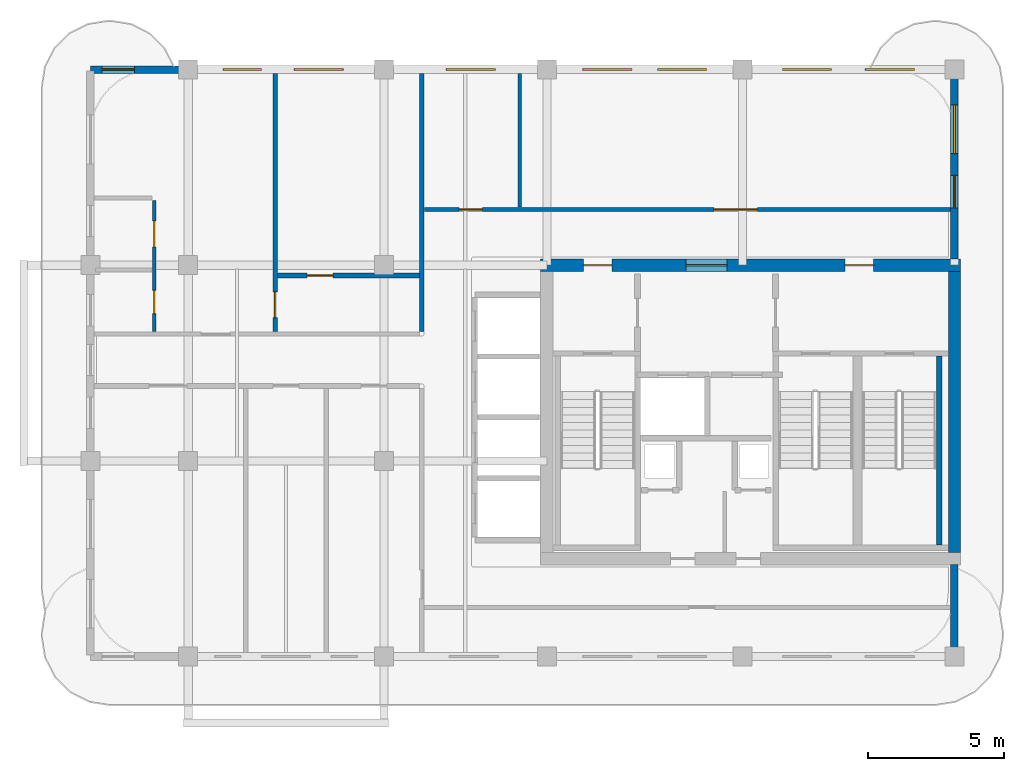
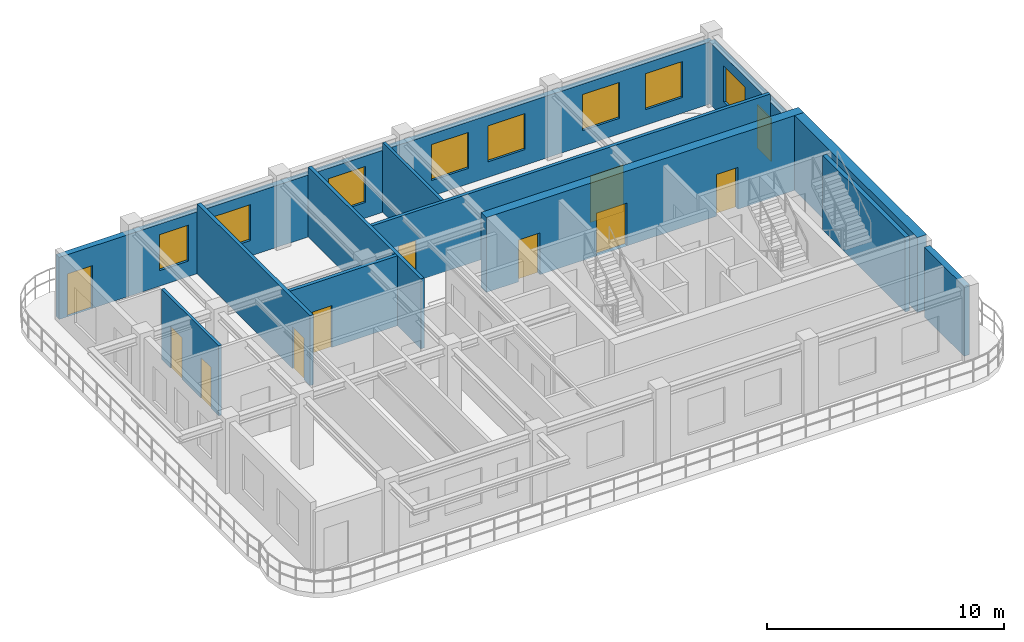
# One storey, part 4 of 7: 12 walls, 11 doors, 8 windows, 19 openings.
"""IFC4 building model written with IfcOpenShell, lengths in metres."""

from ifc_helpers import new_model, si_unit, derived_unit, direction, frame, frame_2d, origin, place, context, subcontext, project, spatial, rectangle, extrude, source, transform, mapped, material, layer, layer_set, type_object, type_shapes, element, fill, save


model = new_model("IFC4")

# Units and contexts
model_context = context("Model", 3, precision=1e-05, world=origin(), true_north=direction((0.0, 1.0)))
body_context = subcontext(model_context, "Body", "Model", "MODEL_VIEW")
ifc_project = project(units=[si_unit("LENGTHUNIT", "METRE"), si_unit("AREAUNIT", "SQUARE_METRE"), si_unit("VOLUMEUNIT", "CUBIC_METRE"), si_unit("PLANEANGLEUNIT", "RADIAN"), si_unit("MASSUNIT", "GRAM", prefix="KILO"), si_unit("THERMODYNAMICTEMPERATUREUNIT", "KELVIN"), si_unit("POWERUNIT", "WATT"), derived_unit("THERMALTRANSMITTANCEUNIT", [(si_unit("POWERUNIT", "WATT"), 1), (si_unit("AREAUNIT", "SQUARE_METRE"), -1), (si_unit("THERMODYNAMICTEMPERATUREUNIT", "KELVIN"), -1)])], contexts=[model_context])

# Site, building, storey
site_placement = place(None, origin())
site = spatial("IfcSite", under=ifc_project, at=site_placement, CompositionType="ELEMENT")
building_placement = place(site_placement, origin())
building = spatial("IfcBuilding", under=site, at=building_placement, Name="Zahravan Archway Hotel and Residences", CompositionType="ELEMENT")
storey_placement = place(building_placement, frame((0.0, 0.0, 275.050048828125)))
storey = spatial("IfcBuildingStorey", under=building, at=storey_placement, Name="L69", CompositionType="ELEMENT", Elevation=275.050048828125)

# Wall, openings, doors
ifc_material_1 = material(Name="Concrete C50/60", Category="concrete")
ifc_layer_1 = layer(ifc_material_1, 0.449951171875, Name="Concrete C50/60", Category="concrete")
ifc_layer_set_1 = layer_set([ifc_layer_1], Name="Concrete C50/60")
wall_type_1 = type_object("IfcWallType", Name="CW-CORE-450", PredefinedType="SHEAR", material=ifc_layer_set_1)
wall_1_placement = place(storey_placement, frame((34.574951171875, 14.39990234375, 0.0), z_axis=(0.0, 0.0, 1.0), x_axis=(1.0, 0.0, 0.0)))
wall_1 = element("IfcWall", 1, at=wall_1_placement, inside=storey, type_object=wall_type_1, Name="L69 Core A Shear N Wall 450 mm", PredefinedType="SHEAR", context=body_context, shape_type="SweptSolid", body=[
    extrude(rectangle(XDim=15.449951171875, YDim=0.449951171875, at=frame_2d((7.72509765625, 0.0))), origin(), (0.0, 0.0, 1.0), 3.849853515625),
])
opening_1_placement = place(wall_1_placement, frame((5.35498046875, 0.0, 0.0)))
opening_1 = element("IfcOpeningElement", 2, at=opening_1_placement, cuts=wall_1, Name="Opening FD-L1", PredefinedType="OPENING", context=body_context, shape_type="SweptSolid", body=[
    extrude(rectangle(XDim=1.5, YDim=2.199951171875, at=frame_2d((0.75, 1.10009765625))), frame((0.0, 0.23486328125, 0.0), z_axis=(0.0, -1.0, 0.0), x_axis=(1.0, 0.0, 0.0)), (0.0, 0.0, 1.0), 0.469970703125),
])
opening_2_placement = place(wall_1_placement, frame((1.570068359375, 0.0, 0.0)))
opening_2 = element("IfcOpeningElement", 3, at=opening_2_placement, cuts=wall_1, Name="Opening FD-L2", PredefinedType="OPENING", context=body_context, shape_type="SweptSolid", body=[
    extrude(rectangle(XDim=1.050048828125, YDim=2.14990234375, at=frame_2d((0.52490234375, 1.074951171875))), frame((0.0, 0.23486328125, 0.0), z_axis=(0.0, -1.0, 0.0), x_axis=(1.0, 0.0, 0.0)), (0.0, 0.0, 1.0), 0.469970703125),
])
opening_3_placement = place(wall_1_placement, frame((11.199951171875, 0.0, 0.0)))
opening_3 = element("IfcOpeningElement", 4, at=opening_3_placement, cuts=wall_1, Name="Opening FD-L2", PredefinedType="OPENING", context=body_context, shape_type="SweptSolid", body=[
    extrude(rectangle(XDim=1.050048828125, YDim=2.14990234375, at=frame_2d((0.52490234375, 1.074951171875))), frame((0.0, 0.23486328125, 0.0), z_axis=(0.0, -1.0, 0.0), x_axis=(1.0, 0.0, 0.0)), (0.0, 0.0, 1.0), 0.469970703125),
])
ifc_material_2 = material(Name="Fire-Rated Painted Steel", Category="steel")
door_type_1 = type_object("IfcDoorType", Name="FD-LOBBY-1100", OperationType="NOTDEFINED", PredefinedType="DOOR", material=ifc_material_2)
shared_shape_1 = source(origin(), body_context, "Body", "SweptSolid", [
    extrude(rectangle(XDim=1.050048828125, YDim=2.14990234375, at=frame_2d((0.52490234375, 1.074951171875))), frame((0.0, 0.02490234375, 0.0), z_axis=(0.0, -1.0, 0.0), x_axis=(1.0, 0.0, 0.0)), (0.0, 0.0, 1.0), 0.050048828125),
])
type_shapes(door_type_1, [shared_shape_1])
door_1_placement = place(opening_2_placement, origin())
door_1 = element("IfcDoor", 5, at=door_1_placement, inside=storey, type_object=door_type_1, Name="L69 Core A West Stair Lobby Door", OperationType="SINGLE_SWING_LEFT", OverallHeight=2.14990234375, OverallWidth=1.050048828125, PredefinedType="DOOR", context=body_context, shape_type="MappedRepresentation", body=[
    mapped(shared_shape_1, transform((0.0, 0.0, 0.0), scale=1.0)),
])
fill(opening_2, door_1)
door_2_placement = place(opening_3_placement, origin())
door_2 = element("IfcDoor", 6, at=door_2_placement, inside=storey, type_object=door_type_1, Name="L69 Core A East Stair Lobby Door", OperationType="SINGLE_SWING_RIGHT", OverallHeight=2.14990234375, OverallWidth=1.050048828125, PredefinedType="DOOR", context=body_context, shape_type="MappedRepresentation", body=[
    mapped(shared_shape_1, transform((0.0, 0.0, 0.0), scale=1.0)),
])
fill(opening_3, door_2)
door_type_2 = type_object("IfcDoorType", Name="FD-LOBBY-1500", OperationType="DOUBLE_DOOR_SINGLE_SWING", PredefinedType="DOOR", material=ifc_material_2)
shared_shape_2 = source(origin(), body_context, "Body", "SweptSolid", [
    extrude(rectangle(XDim=1.5, YDim=2.199951171875, at=frame_2d((0.75, 1.10009765625))), frame((0.0, 0.02490234375, 0.0), z_axis=(0.0, -1.0, 0.0), x_axis=(1.0, 0.0, 0.0)), (0.0, 0.0, 1.0), 0.050048828125),
])
type_shapes(door_type_2, [shared_shape_2])
door_3_placement = place(opening_1_placement, origin())
door_3 = element("IfcDoor", 7, at=door_3_placement, inside=storey, type_object=door_type_2, Name="L69 Core A FSAE Lobby Main Door", OperationType="DOUBLE_DOOR_SINGLE_SWING", OverallHeight=2.199951171875, OverallWidth=1.5, PredefinedType="DOOR", context=body_context, shape_type="MappedRepresentation", body=[
    mapped(shared_shape_2, transform((0.0, 0.0, 0.0), scale=1.0)),
])
fill(opening_1, door_3)

# Walls
wall_2_placement = place(storey_placement, frame((49.800048828125, 3.824951171875, 0.0), z_axis=(0.0, 0.0, 1.0), x_axis=(0.0, 1.0, 0.0)))
element("IfcWall", 8, at=wall_2_placement, inside=storey, type_object=wall_type_1, Name="L69 Core A Shear E Wall 450 mm", PredefinedType="SHEAR", context=body_context, shape_type="SweptSolid", body=[
    extrude(rectangle(XDim=10.35009765625, YDim=0.449951171875, at=frame_2d((5.175048828125, 0.0))), origin(), (0.0, 0.0, 1.0), 3.849853515625),
])
ifc_material_3 = material(Name="Honed Red-Ochre Sandstone & Insulated Block", Category="masonry")
ifc_layer_2 = layer(ifc_material_3, 0.280029296875, Name="Honed Red-Ochre Sandstone & Insulated Block", Category="masonry")
ifc_layer_set_2 = layer_set([ifc_layer_2], Name="Honed Red-Ochre Sandstone & Insulated Block")
wall_type_2 = type_object("IfcWallType", Name="EW-LOG-280", PredefinedType="SOLIDWALL", material=ifc_layer_set_2)
wall_3_placement = place(storey_placement, frame((49.800048828125, 0.050048828125, 0.0), z_axis=(0.0, 0.0, 1.0), x_axis=(0.0, 1.0, 0.0)))
element("IfcWall", 9, at=wall_3_placement, inside=storey, type_object=wall_type_2, Name="L69 Exterior Sandstone Wall WA-ES", PredefinedType="SOLIDWALL", context=body_context, shape_type="SweptSolid", body=[
    extrude(rectangle(XDim=3.329833984375, YDim=0.280029296875, at=frame_2d((1.6650390625, 0.0))), origin(), (0.0, 0.0, 1.0), 3.599853515625),
])

# Wall, openings, door, window
wall_4_placement = place(storey_placement, frame((49.800048828125, 14.6201171875, 0.0), z_axis=(0.0, 0.0, 1.0), x_axis=(0.0, 1.0, 0.0)))
wall_4 = element("IfcWall", 10, at=wall_4_placement, inside=storey, type_object=wall_type_2, Name="L69 Exterior Sandstone Wall WA-EN", PredefinedType="SOLIDWALL", context=body_context, shape_type="SweptSolid", body=[
    extrude(rectangle(XDim=6.929931640625, YDim=0.280029296875, at=frame_2d((3.46484375, 0.0))), origin(), (0.0, 0.0, 1.0), 3.18505859375),
])
opening_4_placement = place(wall_4_placement, frame((1.888916015625, 0.0, 0.0)))
opening_4 = element("IfcOpeningElement", 11, at=opening_4_placement, cuts=wall_4, Name="Opening ED-BL1", PredefinedType="OPENING", context=body_context, shape_type="SweptSolid", body=[
    extrude(rectangle(XDim=1.199951171875, YDim=2.199951171875, at=frame_2d((0.60009765625, 1.10009765625))), frame((0.0, 0.14990234375, 0.0), z_axis=(0.0, -1.0, 0.0), x_axis=(1.0, 0.0, 0.0)), (0.0, 0.0, 1.0), 0.300048828125),
])
opening_5_placement = place(wall_4_placement, frame((3.884033203125, 0.0, 0.800048828125)))
opening_5 = element("IfcOpeningElement", 12, at=opening_5_placement, cuts=wall_4, Name="Opening W-02", PredefinedType="OPENING", context=body_context, shape_type="SweptSolid", body=[
    extrude(rectangle(XDim=1.800048828125, YDim=1.85009765625, at=frame_2d((0.89990234375, 0.925048828125))), frame((0.0, 0.14990234375, 0.0), z_axis=(0.0, -1.0, 0.0), x_axis=(1.0, 0.0, 0.0)), (0.0, 0.0, 1.0), 0.300048828125),
])
ifc_material_4 = material(Name="Bronze-Anodized Glazed Aluminium", Category="aluminium")
door_type_3 = type_object("IfcDoorType", Name="ED-BALC-1200", OperationType="SLIDING_TO_LEFT", PredefinedType="DOOR", material=ifc_material_4)
shared_shape_3 = source(origin(), body_context, "Body", "SweptSolid", [
    extrude(rectangle(XDim=1.199951171875, YDim=2.199951171875, at=frame_2d((0.60009765625, 1.10009765625))), frame((0.0, 0.02490234375, 0.0), z_axis=(0.0, -1.0, 0.0), x_axis=(1.0, 0.0, 0.0)), (0.0, 0.0, 1.0), 0.050048828125),
])
type_shapes(door_type_3, [shared_shape_3])
door_4_placement = place(opening_4_placement, origin())
door_4 = element("IfcDoor", 13, at=door_4_placement, inside=storey, type_object=door_type_3, Name="L69 Outdoor Access Sliding Door (SLB-BAL-L69-EA)", OperationType="SLIDING_TO_LEFT", OverallHeight=2.199951171875, OverallWidth=1.199951171875, PredefinedType="DOOR", context=body_context, shape_type="MappedRepresentation", body=[
    mapped(shared_shape_3, transform((0.0, 0.0, 0.0), scale=1.0)),
])
fill(opening_4, door_4)
ifc_material_5 = material(Name="Bronze-Anodized Thermal-Break Aluminium & Low-E Glass", Category="aluminium")
window_type_1 = type_object("IfcWindowType", Name="WIN-TWR-1800", PartitioningType="DOUBLE_PANEL_VERTICAL", PredefinedType="WINDOW", material=ifc_material_5)
shared_shape_4 = source(origin(), body_context, "Body", "SweptSolid", [
    extrude(rectangle(XDim=1.800048828125, YDim=1.85009765625, at=frame_2d((0.89990234375, 0.925048828125))), frame((0.0, 0.030029296875, 0.0), z_axis=(0.0, -1.0, 0.0), x_axis=(1.0, 0.0, 0.0)), (0.0, 0.0, 1.0), 0.06005859375),
])
type_shapes(window_type_1, [shared_shape_4])
window_1_placement = place(opening_5_placement, origin())
window_1 = element("IfcWindow", 14, at=window_1_placement, inside=storey, type_object=window_type_1, Name="L69 Loggia Window 09", OverallHeight=1.85009765625, OverallWidth=1.800048828125, PartitioningType="DOUBLE_PANEL_VERTICAL", PredefinedType="WINDOW", context=body_context, shape_type="MappedRepresentation", body=[
    mapped(shared_shape_4, transform((0.0, 0.0, 0.0), scale=1.0)),
])
fill(opening_5, window_1)

# Wall, openings, door, windows
wall_5_placement = place(storey_placement, frame((18.0, 21.60009765625, 0.0), z_axis=(0.0, 0.0, 1.0), x_axis=(1.0, 0.0, 0.0)))
wall_5 = element("IfcWall", 15, at=wall_5_placement, inside=storey, type_object=wall_type_2, Name="L69 Exterior Sandstone Wall WA-N", PredefinedType="SOLIDWALL", context=body_context, shape_type="SweptSolid", body=[
    extrude(rectangle(XDim=31.800048828125, YDim=0.280029296875, at=frame_2d((15.89990234375, 0.0))), origin(), (0.0, 0.0, 1.0), 3.18505859375),
])
opening_6_placement = place(wall_5_placement, frame((0.419921875, 0.0, 0.0)))
opening_6 = element("IfcOpeningElement", 16, at=opening_6_placement, cuts=wall_5, Name="Opening ED-BL1", PredefinedType="OPENING", context=body_context, shape_type="SweptSolid", body=[
    extrude(rectangle(XDim=1.199951171875, YDim=2.199951171875, at=frame_2d((0.60009765625, 1.10009765625))), frame((0.0, 0.14990234375, 0.0), z_axis=(0.0, -1.0, 0.0), x_axis=(1.0, 0.0, 0.0)), (0.0, 0.0, 1.0), 0.300048828125),
])
opening_7_placement = place(wall_5_placement, frame((4.89599609375, 0.0, 0.800048828125)))
opening_7 = element("IfcOpeningElement", 17, at=opening_7_placement, cuts=wall_5, Name="Opening W-03", PredefinedType="OPENING", context=body_context, shape_type="SweptSolid", body=[
    extrude(rectangle(XDim=1.39990234375, YDim=1.85009765625, at=frame_2d((0.699951171875, 0.925048828125))), frame((0.0, 0.14990234375, 0.0), z_axis=(0.0, -1.0, 0.0), x_axis=(1.0, 0.0, 0.0)), (0.0, 0.0, 1.0), 0.300048828125),
])
opening_8_placement = place(wall_5_placement, frame((7.50390625, 0.0, 0.800048828125)))
opening_8 = element("IfcOpeningElement", 18, at=opening_8_placement, cuts=wall_5, Name="Opening W-02", PredefinedType="OPENING", context=body_context, shape_type="SweptSolid", body=[
    extrude(rectangle(XDim=1.800048828125, YDim=1.85009765625, at=frame_2d((0.89990234375, 0.925048828125))), frame((0.0, 0.14990234375, 0.0), z_axis=(0.0, -1.0, 0.0), x_axis=(1.0, 0.0, 0.0)), (0.0, 0.0, 1.0), 0.300048828125),
])
opening_9_placement = place(wall_5_placement, frame((13.10107421875, 0.0, 0.800048828125)))
opening_9 = element("IfcOpeningElement", 19, at=opening_9_placement, cuts=wall_5, Name="Opening W-02", PredefinedType="OPENING", context=body_context, shape_type="SweptSolid", body=[
    extrude(rectangle(XDim=1.800048828125, YDim=1.85009765625, at=frame_2d((0.89990234375, 0.925048828125))), frame((0.0, 0.14990234375, 0.0), z_axis=(0.0, -1.0, 0.0), x_axis=(1.0, 0.0, 0.0)), (0.0, 0.0, 1.0), 0.300048828125),
])
opening_10_placement = place(wall_5_placement, frame((18.125, 0.0, 0.800048828125)))
opening_10 = element("IfcOpeningElement", 20, at=opening_10_placement, cuts=wall_5, Name="Opening W-02", PredefinedType="OPENING", context=body_context, shape_type="SweptSolid", body=[
    extrude(rectangle(XDim=1.800048828125, YDim=1.85009765625, at=frame_2d((0.89990234375, 0.925048828125))), frame((0.0, 0.14990234375, 0.0), z_axis=(0.0, -1.0, 0.0), x_axis=(1.0, 0.0, 0.0)), (0.0, 0.0, 1.0), 0.300048828125),
])
opening_11_placement = place(wall_5_placement, frame((20.875, 0.0, 0.800048828125)))
opening_11 = element("IfcOpeningElement", 21, at=opening_11_placement, cuts=wall_5, Name="Opening W-02", PredefinedType="OPENING", context=body_context, shape_type="SweptSolid", body=[
    extrude(rectangle(XDim=1.800048828125, YDim=1.85009765625, at=frame_2d((0.89990234375, 0.925048828125))), frame((0.0, 0.14990234375, 0.0), z_axis=(0.0, -1.0, 0.0), x_axis=(1.0, 0.0, 0.0)), (0.0, 0.0, 1.0), 0.300048828125),
])
opening_12_placement = place(wall_5_placement, frame((25.47509765625, 0.0, 0.800048828125)))
opening_12 = element("IfcOpeningElement", 22, at=opening_12_placement, cuts=wall_5, Name="Opening W-02", PredefinedType="OPENING", context=body_context, shape_type="SweptSolid", body=[
    extrude(rectangle(XDim=1.800048828125, YDim=1.85009765625, at=frame_2d((0.89990234375, 0.925048828125))), frame((0.0, 0.14990234375, 0.0), z_axis=(0.0, -1.0, 0.0), x_axis=(1.0, 0.0, 0.0)), (0.0, 0.0, 1.0), 0.300048828125),
])
opening_13_placement = place(wall_5_placement, frame((28.52490234375, 0.0, 0.800048828125)))
opening_13 = element("IfcOpeningElement", 23, at=opening_13_placement, cuts=wall_5, Name="Opening W-02", PredefinedType="OPENING", context=body_context, shape_type="SweptSolid", body=[
    extrude(rectangle(XDim=1.800048828125, YDim=1.85009765625, at=frame_2d((0.89990234375, 0.925048828125))), frame((0.0, 0.14990234375, 0.0), z_axis=(0.0, -1.0, 0.0), x_axis=(1.0, 0.0, 0.0)), (0.0, 0.0, 1.0), 0.300048828125),
])
door_5_placement = place(opening_6_placement, origin())
door_5 = element("IfcDoor", 24, at=door_5_placement, inside=storey, type_object=door_type_3, Name="L69 Outdoor Access Sliding Door (SLB-BAL-L69-WA)", OperationType="SLIDING_TO_LEFT", OverallHeight=2.199951171875, OverallWidth=1.199951171875, PredefinedType="DOOR", context=body_context, shape_type="MappedRepresentation", body=[
    mapped(shared_shape_3, transform((0.0, 0.0, 0.0), scale=1.0)),
])
fill(opening_6, door_5)
window_type_2 = type_object("IfcWindowType", Name="WIN-TWR-1400", PartitioningType="SINGLE_PANEL", PredefinedType="WINDOW", material=ifc_material_5)
shared_shape_5 = source(origin(), body_context, "Body", "SweptSolid", [
    extrude(rectangle(XDim=1.39990234375, YDim=1.85009765625, at=frame_2d((0.699951171875, 0.925048828125))), frame((0.0, 0.030029296875, 0.0), z_axis=(0.0, -1.0, 0.0), x_axis=(1.0, 0.0, 0.0)), (0.0, 0.0, 1.0), 0.06005859375),
])
type_shapes(window_type_2, [shared_shape_5])
window_2_placement = place(opening_7_placement, origin())
window_2 = element("IfcWindow", 25, at=window_2_placement, inside=storey, type_object=window_type_2, Name="L69 Loggia Window 10", OverallHeight=1.85009765625, OverallWidth=1.39990234375, PartitioningType="SINGLE_PANEL", PredefinedType="WINDOW", context=body_context, shape_type="MappedRepresentation", body=[
    mapped(shared_shape_5, transform((0.0, 0.0, 0.0), scale=1.0)),
])
fill(opening_7, window_2)
window_3_placement = place(opening_8_placement, origin())
window_3 = element("IfcWindow", 26, at=window_3_placement, inside=storey, type_object=window_type_1, Name="L69 Loggia Window 11", OverallHeight=1.85009765625, OverallWidth=1.800048828125, PartitioningType="DOUBLE_PANEL_VERTICAL", PredefinedType="WINDOW", context=body_context, shape_type="MappedRepresentation", body=[
    mapped(shared_shape_4, transform((0.0, 0.0, 0.0), scale=1.0)),
])
fill(opening_8, window_3)
window_4_placement = place(opening_9_placement, origin())
window_4 = element("IfcWindow", 27, at=window_4_placement, inside=storey, type_object=window_type_1, Name="L69 Loggia Window 12", OverallHeight=1.85009765625, OverallWidth=1.800048828125, PartitioningType="DOUBLE_PANEL_VERTICAL", PredefinedType="WINDOW", context=body_context, shape_type="MappedRepresentation", body=[
    mapped(shared_shape_4, transform((0.0, 0.0, 0.0), scale=1.0)),
])
fill(opening_9, window_4)
window_5_placement = place(opening_10_placement, origin())
window_5 = element("IfcWindow", 28, at=window_5_placement, inside=storey, type_object=window_type_1, Name="L69 Loggia Window 13", OverallHeight=1.85009765625, OverallWidth=1.800048828125, PartitioningType="DOUBLE_PANEL_VERTICAL", PredefinedType="WINDOW", context=body_context, shape_type="MappedRepresentation", body=[
    mapped(shared_shape_4, transform((0.0, 0.0, 0.0), scale=1.0)),
])
fill(opening_10, window_5)
window_6_placement = place(opening_11_placement, origin())
window_6 = element("IfcWindow", 29, at=window_6_placement, inside=storey, type_object=window_type_1, Name="L69 Loggia Window 14", OverallHeight=1.85009765625, OverallWidth=1.800048828125, PartitioningType="DOUBLE_PANEL_VERTICAL", PredefinedType="WINDOW", context=body_context, shape_type="MappedRepresentation", body=[
    mapped(shared_shape_4, transform((0.0, 0.0, 0.0), scale=1.0)),
])
fill(opening_11, window_6)
window_7_placement = place(opening_12_placement, origin())
window_7 = element("IfcWindow", 30, at=window_7_placement, inside=storey, type_object=window_type_1, Name="L69 Loggia Window 15", OverallHeight=1.85009765625, OverallWidth=1.800048828125, PartitioningType="DOUBLE_PANEL_VERTICAL", PredefinedType="WINDOW", context=body_context, shape_type="MappedRepresentation", body=[
    mapped(shared_shape_4, transform((0.0, 0.0, 0.0), scale=1.0)),
])
fill(opening_12, window_7)
window_8_placement = place(opening_13_placement, origin())
window_8 = element("IfcWindow", 31, at=window_8_placement, inside=storey, type_object=window_type_1, Name="L69 Loggia Window 16", OverallHeight=1.85009765625, OverallWidth=1.800048828125, PartitioningType="DOUBLE_PANEL_VERTICAL", PredefinedType="WINDOW", context=body_context, shape_type="MappedRepresentation", body=[
    mapped(shared_shape_4, transform((0.0, 0.0, 0.0), scale=1.0)),
])
fill(opening_13, window_8)

# Wall
ifc_material_6 = material(Name="Fire-Rated Gypsum & Concrete Block", Category="concrete")
ifc_layer_3 = layer(ifc_material_6, 0.159912109375, Name="Fire-Rated Gypsum & Concrete Block", Category="concrete")
ifc_layer_set_3 = layer_set([ifc_layer_3], Name="Fire-Rated Gypsum & Concrete Block")
wall_type_3 = type_object("IfcWallType", Name="PW-CORR-160", PredefinedType="PARTITIONING", material=ifc_layer_set_3)
wall_6_placement = place(storey_placement, frame((30.199951171875, 11.9599609375, 0.0), z_axis=(0.0, 0.0, 1.0), x_axis=(0.0, 1.0, 0.0)))
element("IfcWall", 32, at=wall_6_placement, inside=storey, type_object=wall_type_3, Name="L69 Partition WA-FW", PredefinedType="PARTITIONING", context=body_context, shape_type="SweptSolid", body=[
    extrude(rectangle(XDim=9.5, YDim=0.159912109375, at=frame_2d((4.75, 0.0))), origin(), (0.0, 0.0, 1.0), 3.599853515625),
])

# Wall, openings, doors
wall_7_placement = place(storey_placement, frame((30.2900390625, 16.449951171875, 0.0), z_axis=(0.0, 0.0, 1.0), x_axis=(1.0, 0.0, 0.0)))
wall_7 = element("IfcWall", 33, at=wall_7_placement, inside=storey, type_object=wall_type_3, Name="L69 Partition WA-FN", PredefinedType="PARTITIONING", context=body_context, shape_type="SweptSolid", body=[
    extrude(rectangle(XDim=19.369873046875, YDim=0.159912109375, at=frame_2d((9.68505859375, 0.0))), origin(), (0.0, 0.0, 1.0), 3.599853515625),
])
opening_14_placement = place(wall_7_placement, frame((1.284912109375, 0.0, 0.0)))
opening_14 = element("IfcOpeningElement", 34, at=opening_14_placement, cuts=wall_7, Name="Opening D-B1", PredefinedType="OPENING", context=body_context, shape_type="SweptSolid", body=[
    extrude(rectangle(XDim=0.85009765625, YDim=2.10009765625, at=frame_2d((0.425048828125, 1.050048828125))), frame((0.0, 0.08984375, 0.0), z_axis=(0.0, -1.0, 0.0), x_axis=(1.0, 0.0, 0.0)), (0.0, 0.0, 1.0), 0.179931640625),
])
opening_15_placement = place(wall_7_placement, frame((10.659912109375, 0.0, 0.0)))
opening_15 = element("IfcOpeningElement", 35, at=opening_15_placement, cuts=wall_7, Name="Opening D-P2", PredefinedType="OPENING", context=body_context, shape_type="SweptSolid", body=[
    extrude(rectangle(XDim=1.60009765625, YDim=2.39990234375, at=frame_2d((0.800048828125, 1.199951171875))), frame((0.0, 0.08984375, 0.0), z_axis=(0.0, -1.0, 0.0), x_axis=(1.0, 0.0, 0.0)), (0.0, 0.0, 1.0), 0.179931640625),
])
door_type_4 = type_object("IfcDoorType", Name="ID-PUBLIC-1600", OperationType="DOUBLE_DOOR_SINGLE_SWING", PredefinedType="DOOR", material=ifc_material_4)
shared_shape_6 = source(origin(), body_context, "Body", "SweptSolid", [
    extrude(rectangle(XDim=1.60009765625, YDim=2.39990234375, at=frame_2d((0.800048828125, 1.199951171875))), frame((0.0, 0.02490234375, 0.0), z_axis=(0.0, -1.0, 0.0), x_axis=(1.0, 0.0, 0.0)), (0.0, 0.0, 1.0), 0.050048828125),
])
type_shapes(door_type_4, [shared_shape_6])
door_6_placement = place(opening_15_placement, origin())
door_6 = element("IfcDoor", 36, at=door_6_placement, inside=storey, type_object=door_type_4, Name="L69 North Fitness Gym Door", OperationType="DOUBLE_DOOR_SINGLE_SWING", OverallHeight=2.39990234375, OverallWidth=1.60009765625, PredefinedType="DOOR", context=body_context, shape_type="MappedRepresentation", body=[
    mapped(shared_shape_6, transform((0.0, 0.0, 0.0), scale=1.0)),
])
fill(opening_15, door_6)
ifc_material_7 = material(Name="Hardwood Veneer Timber", Category="wood")
door_type_5 = type_object("IfcDoorType", Name="ID-BATH-850", OperationType="NOTDEFINED", PredefinedType="DOOR", material=ifc_material_7)
shared_shape_7 = source(origin(), body_context, "Body", "SweptSolid", [
    extrude(rectangle(XDim=0.85009765625, YDim=2.10009765625, at=frame_2d((0.425048828125, 1.050048828125))), frame((0.0, 0.02490234375, 0.0), z_axis=(0.0, -1.0, 0.0), x_axis=(1.0, 0.0, 0.0)), (0.0, 0.0, 1.0), 0.050048828125),
])
type_shapes(door_type_5, [shared_shape_7])
door_7_placement = place(opening_14_placement, origin())
door_7 = element("IfcDoor", 37, at=door_7_placement, inside=storey, type_object=door_type_5, Name="L69 Accessible Restroom Door", OperationType="SINGLE_SWING_LEFT", OverallHeight=2.10009765625, OverallWidth=0.85009765625, PredefinedType="DOOR", context=body_context, shape_type="MappedRepresentation", body=[
    mapped(shared_shape_7, transform((0.0, 0.0, 0.0), scale=1.0)),
])
fill(opening_14, door_7)

# Wall, opening, door
ifc_material_8 = material(Name="Acoustic Stud Partition")
ifc_layer_4 = layer(ifc_material_8, 0.169921875, Name="Acoustic Stud Partition")
ifc_layer_set_4 = layer_set([ifc_layer_4], Name="Acoustic Stud Partition")
wall_type_4 = type_object("IfcWallType", Name="PW-UNIT-170", PredefinedType="PARTITIONING", material=ifc_layer_set_4)
wall_8_placement = place(storey_placement, frame((24.800048828125, 11.9599609375, 0.0), z_axis=(0.0, 0.0, 1.0), x_axis=(0.0, 1.0, 0.0)))
wall_8 = element("IfcWall", 38, at=wall_8_placement, inside=storey, type_object=wall_type_4, Name="L69 Partition FL-N1-SP", PredefinedType="PARTITIONING", context=body_context, shape_type="SweptSolid", body=[
    extrude(rectangle(XDim=9.491943359375, YDim=0.169921875, at=frame_2d((4.74609375, 0.0))), origin(), (0.0, 0.0, 1.0), 3.599853515625),
])
opening_16_placement = place(wall_8_placement, frame((0.510009765625, 0.0, 0.0)))
opening_16 = element("IfcOpeningElement", 39, at=opening_16_placement, cuts=wall_8, Name="Opening D-I1", PredefinedType="OPENING", context=body_context, shape_type="SweptSolid", body=[
    extrude(rectangle(XDim=0.949951171875, YDim=2.14990234375, at=frame_2d((0.47509765625, 1.074951171875))), frame((0.0, 0.094970703125, 0.0), z_axis=(0.0, -1.0, 0.0), x_axis=(1.0, 0.0, 0.0)), (0.0, 0.0, 1.0), 0.18994140625),
])
door_type_6 = type_object("IfcDoorType", Name="ID-INT-950", OperationType="NOTDEFINED", PredefinedType="DOOR", material=ifc_material_7)
shared_shape_8 = source(origin(), body_context, "Body", "SweptSolid", [
    extrude(rectangle(XDim=0.949951171875, YDim=2.14990234375, at=frame_2d((0.47509765625, 1.074951171875))), frame((0.0, 0.02490234375, 0.0), z_axis=(0.0, -1.0, 0.0), x_axis=(1.0, 0.0, 0.0)), (0.0, 0.0, 1.0), 0.050048828125),
])
type_shapes(door_type_6, [shared_shape_8])
door_8_placement = place(opening_16_placement, origin())
door_8 = element("IfcDoor", 40, at=door_8_placement, inside=storey, type_object=door_type_6, Name="L69 Flat N1 Bedroom Hall Door", OperationType="SINGLE_SWING_LEFT", OverallHeight=2.14990234375, OverallWidth=0.949951171875, PredefinedType="DOOR", context=body_context, shape_type="MappedRepresentation", body=[
    mapped(shared_shape_8, transform((0.0, 0.0, 0.0), scale=1.0)),
])
fill(opening_16, door_8)

wall_9_placement = place(storey_placement, frame((24.889892578125, 14.02001953125, 0.0), z_axis=(0.0, 0.0, 1.0), x_axis=(1.0, 0.0, 0.0)))
wall_9 = element("IfcWall", 41, at=wall_9_placement, inside=storey, type_object=wall_type_4, Name="L69 Partition FL-N1-GH", PredefinedType="PARTITIONING", context=body_context, shape_type="SweptSolid", body=[
    extrude(rectangle(XDim=5.22021484375, YDim=0.169921875, at=frame_2d((2.610107421875, 0.0))), origin(), (0.0, 0.0, 1.0), 3.599853515625),
])
opening_17_placement = place(wall_9_placement, frame((1.0849609375, 0.0, 0.0)))
opening_17 = element("IfcOpeningElement", 42, at=opening_17_placement, cuts=wall_9, Name="Opening D-I1", PredefinedType="OPENING", context=body_context, shape_type="SweptSolid", body=[
    extrude(rectangle(XDim=0.949951171875, YDim=2.14990234375, at=frame_2d((0.47509765625, 1.074951171875))), frame((0.0, 0.094970703125, 0.0), z_axis=(0.0, -1.0, 0.0), x_axis=(1.0, 0.0, 0.0)), (0.0, 0.0, 1.0), 0.18994140625),
])
door_9_placement = place(opening_17_placement, origin())
door_9 = element("IfcDoor", 43, at=door_9_placement, inside=storey, type_object=door_type_6, Name="L69 Flat N1 Bedroom 1 Door", OperationType="SINGLE_SWING_RIGHT", OverallHeight=2.14990234375, OverallWidth=0.949951171875, PredefinedType="DOOR", context=body_context, shape_type="MappedRepresentation", body=[
    mapped(shared_shape_8, transform((0.0, 0.0, 0.0), scale=1.0)),
])
fill(opening_17, door_9)

# Wall
ifc_material_9 = material(Name="Moisture-Resistant Blockwork", Category="masonry")
ifc_layer_5 = layer(ifc_material_9, 0.139892578125, Name="Moisture-Resistant Blockwork", Category="masonry")
ifc_layer_set_5 = layer_set([ifc_layer_5], Name="Moisture-Resistant Blockwork")
wall_type_5 = type_object("IfcWallType", Name="PW-WET-140", PredefinedType="PARTITIONING", material=ifc_layer_set_5)
wall_10_placement = place(storey_placement, frame((33.800048828125, 16.5400390625, 0.0), z_axis=(0.0, 0.0, 1.0), x_axis=(0.0, 1.0, 0.0)))
element("IfcWall", 44, at=wall_10_placement, inside=storey, type_object=wall_type_5, Name="L69 Partition NE1-1", PredefinedType="PARTITIONING", context=body_context, shape_type="SweptSolid", body=[
    extrude(rectangle(XDim=4.911865234375, YDim=0.139892578125, at=frame_2d((2.4560546875, 0.0))), origin(), (0.0, 0.0, 1.0), 3.599853515625),
])

# Wall, openings, doors
wall_11_placement = place(storey_placement, frame((20.35009765625, 11.9599609375, 0.0), z_axis=(0.0, 0.0, 1.0), x_axis=(0.0, 1.0, 0.0)))
wall_11 = element("IfcWall", 45, at=wall_11_placement, inside=storey, type_object=wall_type_5, Name="L69 Partition FL-N1-BV", PredefinedType="PARTITIONING", context=body_context, shape_type="SweptSolid", body=[
    extrude(rectangle(XDim=4.820068359375, YDim=0.139892578125, at=frame_2d((2.41015625, 0.0))), origin(), (0.0, 0.0, 1.0), 3.599853515625),
])
opening_18_placement = place(wall_11_placement, frame((0.659912109375, 0.0, 0.0)))
opening_18 = element("IfcOpeningElement", 46, at=opening_18_placement, cuts=wall_11, Name="Opening D-B1", PredefinedType="OPENING", context=body_context, shape_type="SweptSolid", body=[
    extrude(rectangle(XDim=0.85009765625, YDim=2.10009765625, at=frame_2d((0.425048828125, 1.050048828125))), frame((0.0, 0.080078125, 0.0), z_axis=(0.0, -1.0, 0.0), x_axis=(1.0, 0.0, 0.0)), (0.0, 0.0, 1.0), 0.159912109375),
])
opening_19_placement = place(wall_11_placement, frame((3.110107421875, 0.0, 0.0)))
opening_19 = element("IfcOpeningElement", 47, at=opening_19_placement, cuts=wall_11, Name="Opening D-I1", PredefinedType="OPENING", context=body_context, shape_type="SweptSolid", body=[
    extrude(rectangle(XDim=0.949951171875, YDim=2.14990234375, at=frame_2d((0.47509765625, 1.074951171875))), frame((0.0, 0.080078125, 0.0), z_axis=(0.0, -1.0, 0.0), x_axis=(1.0, 0.0, 0.0)), (0.0, 0.0, 1.0), 0.159912109375),
])
door_10_placement = place(opening_18_placement, origin())
door_10 = element("IfcDoor", 48, at=door_10_placement, inside=storey, type_object=door_type_5, Name="L69 Flat N1 Bathroom Door", OperationType="SINGLE_SWING_RIGHT", OverallHeight=2.10009765625, OverallWidth=0.85009765625, PredefinedType="DOOR", context=body_context, shape_type="MappedRepresentation", body=[
    mapped(shared_shape_7, transform((0.0, 0.0, 0.0), scale=1.0)),
])
fill(opening_18, door_10)
door_11_placement = place(opening_19_placement, origin())
door_11 = element("IfcDoor", 49, at=door_11_placement, inside=storey, type_object=door_type_6, Name="L69 Flat N1 Kitchen Door", OperationType="SINGLE_SWING_LEFT", OverallHeight=2.14990234375, OverallWidth=0.949951171875, PredefinedType="DOOR", context=body_context, shape_type="MappedRepresentation", body=[
    mapped(shared_shape_8, transform((0.0, 0.0, 0.0), scale=1.0)),
])
fill(opening_19, door_11)

# Wall
ifc_layer_6 = layer(ifc_material_1, 0.199951171875, Name="Concrete C50/60", Category="concrete")
ifc_layer_set_6 = layer_set([ifc_layer_6], Name="Concrete C50/60")
wall_type_6 = type_object("IfcWallType", Name="SW-STAIR-200", PredefinedType="SHEAR", material=ifc_layer_set_6)
wall_12_placement = place(storey_placement, frame((49.239990234375, 4.10009765625, 0.0), z_axis=(0.0, 0.0, 1.0), x_axis=(0.0, 1.0, 0.0)))
element("IfcWall", 50, at=wall_12_placement, inside=storey, type_object=wall_type_6, Name="L69 Stairwell RC Wall CA-SA3E", PredefinedType="SHEAR", context=body_context, shape_type="SweptSolid", body=[
    extrude(rectangle(XDim=6.949951171875, YDim=0.199951171875, at=frame_2d((3.47509765625, 0.0))), origin(), (0.0, 0.0, 1.0), 3.849853515625),
])

save(model, "model.ifc")
